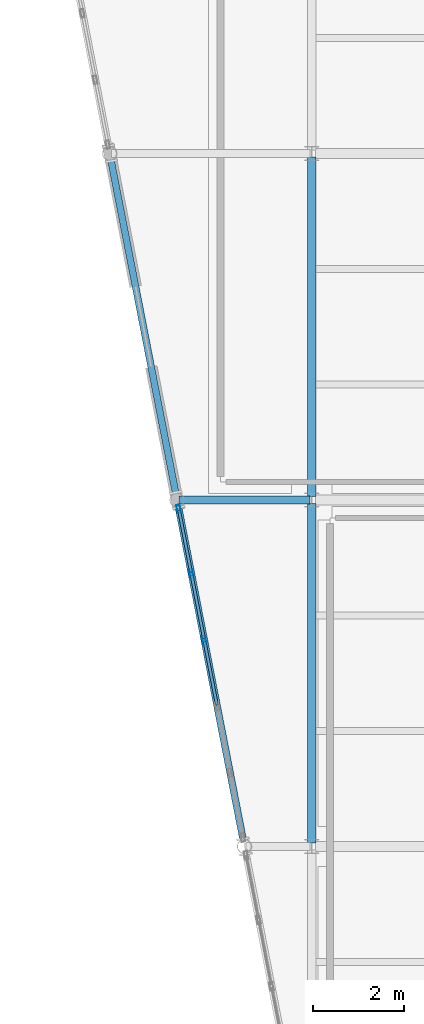
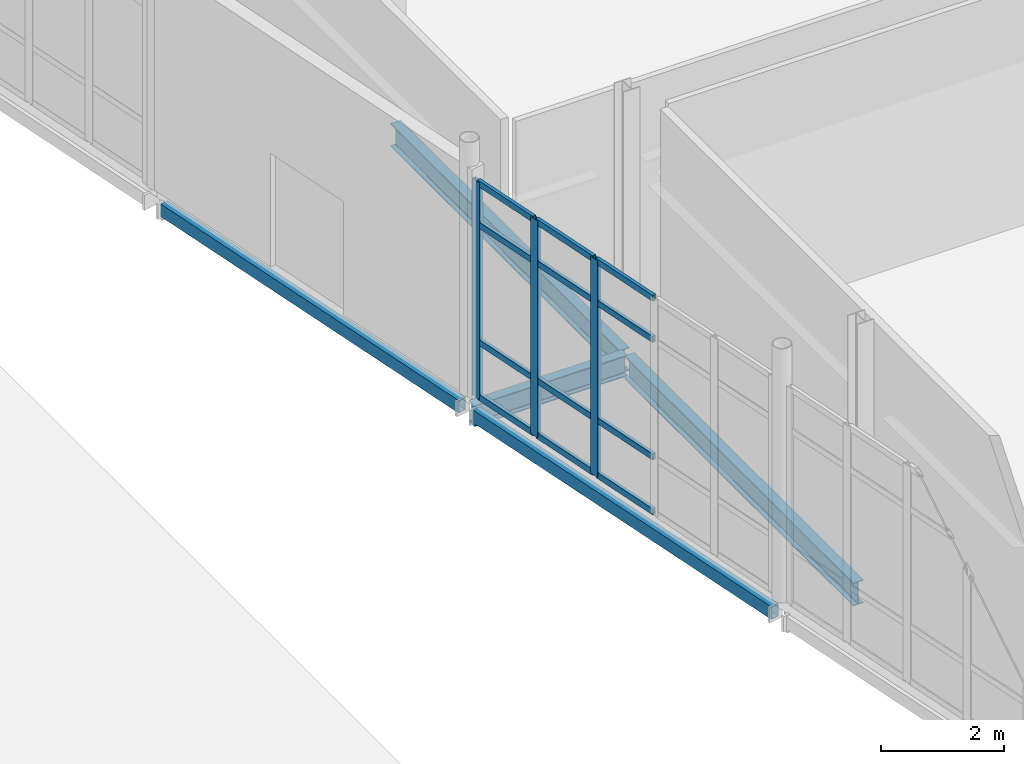
# One storey, part 84 of 161: 15 members, 5 beams, 1 element without a shape of its own.
"""IFC4 building model written with IfcOpenShell, lengths in metres."""

import ifcopenshell
import ifcopenshell.guid

model = None  # the IFC model being written
_history = None  # IfcOwnerHistory: only IFC2X3 demands one
_inside = {}  # id of a spatial element -> (the spatial element, [elements in it])
_under = {}  # id of a project, library or spatial element -> (it, [spatial elements below it])
_declared = {}  # id of a project -> (the project, [libraries it declares])
_typed = {}  # id of a type object -> (the type object, [elements of that type])
_made_of = {}  # id of a material, layer set ... -> (it, [elements and type objects made of it])


def new_model(schema):
    """Start an empty IFC model of exactly this schema.

    Asked for "IFC4X3", IfcOpenShell would pick the latest addendum, in which some entities
    have other attributes; the version numbers below select the first issue.
    IFC2X3 requires an IfcOwnerHistory on every rooted entity: one is made here for all.
    """
    global model, _history
    if schema == "IFC4X3":
        model = ifcopenshell.file(schema_version=(4, 3, 0, 0))
    else:
        model = ifcopenshell.file(schema=schema)
    _inside.clear()
    _under.clear()
    _declared.clear()
    _typed.clear()
    _made_of.clear()
    _history = None
    if model.schema == "IFC2X3":
        org = make("IfcOrganization", Name="unknown")
        user = make(
            "IfcPersonAndOrganization",
            ThePerson=make("IfcPerson", FamilyName="unknown"),
            TheOrganization=org,
        )
        app = make(
            "IfcApplication",
            ApplicationDeveloper=org,
            Version="unknown",
            ApplicationFullName="unknown",
            ApplicationIdentifier="unknown",
        )
        _history = make(
            "IfcOwnerHistory",
            OwningUser=user,
            OwningApplication=app,
            ChangeAction="ADDED",
            CreationDate=0,
        )
    return model


def make(cls, **values):
    """One entity of the class cls with the attributes given. An attribute that is None is left unset."""
    return model.create_entity(
        cls, **{name: value for name, value in values.items() if value is not None}
    )


def rooted(cls, **values):
    """An entity with a GlobalId (a new one), such as an element, a storey or a relation."""
    return make(cls, GlobalId=ifcopenshell.guid.new(), OwnerHistory=_history, **values)


def si_unit(unit_type, name, prefix=None):
    """IfcSIUnit, for example si_unit("LENGTHUNIT", "METRE", prefix="MILLI")."""
    return make("IfcSIUnit", UnitType=unit_type, Prefix=prefix, Name=name)


def assignment(units):
    """IfcUnitAssignment: the units of a project."""
    return None if units is None else make("IfcUnitAssignment", Units=units)


def point(xyz):
    """IfcCartesianPoint."""
    return None if xyz is None else make("IfcCartesianPoint", Coordinates=xyz)


def direction(xyz):
    """IfcDirection."""
    return None if xyz is None else make("IfcDirection", DirectionRatios=xyz)


def frame(location, z_axis=None, x_axis=None):
    """IfcAxis2Placement3D, a coordinate frame: its origin and axes. An axis left out is left unset."""
    return make(
        "IfcAxis2Placement3D",
        Location=point(location),
        Axis=direction(z_axis),
        RefDirection=direction(x_axis),
    )


def frame_2d(location, x_axis=None):
    """IfcAxis2Placement2D, a coordinate frame in the plane: its origin and x axis."""
    return make(
        "IfcAxis2Placement2D", Location=point(location), RefDirection=direction(x_axis)
    )


def origin():
    """The frame at (0, 0, 0) with its axes left unset."""
    return frame((0.0, 0.0, 0.0))


def origin_2d():
    """The frame at (0, 0) in the plane with its x axis left unset."""
    return frame_2d((0.0, 0.0))


def place(relative_to, where):
    """IfcLocalPlacement: puts the frame where relative to a parent placement (None: the world)."""
    return make(
        "IfcLocalPlacement", PlacementRelTo=relative_to, RelativePlacement=where
    )


def context(
    kind, dimensions, precision=None, world=None, true_north=None, identifier=None
):
    """IfcGeometricRepresentationContext, for example the 3D "Model" context."""
    return make(
        "IfcGeometricRepresentationContext",
        ContextIdentifier=identifier,
        ContextType=kind,
        CoordinateSpaceDimension=dimensions,
        Precision=precision,
        WorldCoordinateSystem=world,
        TrueNorth=true_north,
    )


def subcontext(parent, identifier, kind, view, scale=None):
    """IfcGeometricRepresentationSubContext, for example "Body" below "Model"."""
    return make(
        "IfcGeometricRepresentationSubContext",
        ContextIdentifier=identifier,
        ContextType=kind,
        ParentContext=parent,
        TargetScale=scale,
        TargetView=view,
    )


def project(units=None, contexts=None):
    """IfcProject with its units and contexts."""
    return rooted(
        "IfcProject",
        Name="project",
        RepresentationContexts=contexts,
        UnitsInContext=assignment(units),
    )


def spatial(cls, under=None, at=None, **own):
    """A site, building, storey or space (cls), placed at a placement, below another one or the project."""
    s = rooted(cls, ObjectPlacement=at, **own)
    if under is not None:
        _under.setdefault(under.id(), (under, []))[1].append(s)
    return s


def profile(cls, at=None, kind="AREA", **sizes):
    """A parametric profile (cls). Its sizes go by their IFC names, for example OverallWidth=200.0."""
    return make(cls, ProfileType=kind, Position=at, **sizes)


def hollow_rectangle(**sizes):
    """IfcRectangleHollowProfileDef."""
    return profile("IfcRectangleHollowProfileDef", **sizes)


def i_section(**sizes):
    """IfcIShapeProfileDef."""
    return profile("IfcIShapeProfileDef", **sizes)


def extrude(swept, where, along, depth):
    """IfcExtrudedAreaSolid: the profile swept, set in the frame where, extruded along a direction by depth."""
    return make(
        "IfcExtrudedAreaSolid",
        SweptArea=swept,
        Position=where,
        ExtrudedDirection=direction(along),
        Depth=depth,
    )


def shape(context_of_items, identifier, shape_type, items):
    """IfcShapeRepresentation: the items that make up one representation, for example the "Body"."""
    return make(
        "IfcShapeRepresentation",
        ContextOfItems=context_of_items,
        RepresentationIdentifier=identifier,
        RepresentationType=shape_type,
        Items=items,
    )


def material(Name=None, Category=None):
    """IfcMaterial."""
    return make("IfcMaterial", Name=Name, Category=Category)


def material_profile(
    of_material, cross_section, Name=None, Category=None, Priority=None
):
    """IfcMaterialProfile: a cross section and its material."""
    return make(
        "IfcMaterialProfile",
        Name=Name,
        Material=of_material,
        Profile=cross_section,
        Priority=Priority,
        Category=Category,
    )


def profile_set(profiles, Name=None, composite=None):
    """IfcMaterialProfileSet."""
    return make(
        "IfcMaterialProfileSet",
        Name=Name,
        MaterialProfiles=profiles,
        CompositeProfile=composite,
    )


def made_of(thing, what):
    """Note that an element or type object is made of a material, layer set ...; save() writes the relation."""
    if what is not None:
        _made_of.setdefault(what.id(), (what, []))[1].append(thing)
    return thing


def type_object(cls, material=None, **own):
    """A type object (cls), such as IfcWallType, which elements share."""
    return made_of(rooted(cls, **own), material)


def element(
    cls,
    number,
    at=None,
    inside=None,
    cuts=None,
    type_object=None,
    material=None,
    context=None,
    identifier="Body",
    shape_type=None,
    held_by="IfcProductDefinitionShape",
    body=None,
    shapes=None,
    **own,
):
    """One element of the class cls, such as IfcWall. Its Tag is "e" and its number.

    at: its placement. inside: the storey or other place that contains it. cuts: it is an
    opening in that element (IfcRelVoidsElement). A single representation is given by context,
    identifier, shape_type and body (its items); several are given by shapes. held_by: the class
    of the entity that holds the representations. save() writes the other relations.
    """
    e = rooted(cls, Tag="e%d" % number, ObjectPlacement=at, **own)
    if body is not None:
        shapes = [shape(context, identifier, shape_type, body)]
    if shapes is not None:
        e.Representation = make(held_by, Representations=shapes)
    if inside is not None:
        _inside.setdefault(inside.id(), (inside, []))[1].append(e)
    if cuts is not None:
        rooted(
            "IfcRelVoidsElement", RelatingBuildingElement=cuts, RelatedOpeningElement=e
        )
    if type_object is not None:
        _typed.setdefault(type_object.id(), (type_object, []))[1].append(e)
    return made_of(e, material)


def aggregate(whole, parts):
    """IfcRelAggregates: a whole, such as a stair, and the parts it consists of."""
    return rooted("IfcRelAggregates", RelatingObject=whole, RelatedObjects=parts)


def save(model, path):
    """Write the relations noted so far, then the file.

    IfcRelAggregates (storeys below a building ...), IfcRelContainedInSpatialStructure (elements
    in a storey), IfcRelDefinesByType, IfcRelAssociatesMaterial and IfcRelDeclares: one each for
    every whole, place, type object, material and project.
    """
    for whole, parts in _under.values():
        aggregate(whole, parts)
    for where, things in _inside.values():
        rooted(
            "IfcRelContainedInSpatialStructure",
            RelatedElements=things,
            RelatingStructure=where,
        )
    for kind, things in _typed.values():
        rooted("IfcRelDefinesByType", RelatedObjects=things, RelatingType=kind)
    for what, things in _made_of.values():
        rooted("IfcRelAssociatesMaterial", RelatedObjects=things, RelatingMaterial=what)
    for by, libraries in _declared.values():
        rooted("IfcRelDeclares", RelatingContext=by, RelatedDefinitions=libraries)
    model.write(path)


model = new_model("IFC4")

# Units and contexts
model_context = context("Model", 3, precision=1e-05, world=origin(), true_north=direction((0.0, 1.0)))
body_context = subcontext(model_context, "Body", "Model", "MODEL_VIEW")
ifc_project = project(units=[si_unit("LENGTHUNIT", "METRE"), si_unit("AREAUNIT", "SQUARE_METRE"), si_unit("VOLUMEUNIT", "CUBIC_METRE"), si_unit("PLANEANGLEUNIT", "RADIAN"), si_unit("MASSUNIT", "GRAM", prefix="KILO")], contexts=[model_context])

# Site, building, storey
site_placement = place(None, origin())
site = spatial("IfcSite", under=ifc_project, at=site_placement, CompositionType="ELEMENT")
building_placement = place(site_placement, origin())
building = spatial("IfcBuilding", under=site, at=building_placement, Name="Caisbarro Railhouse Central Library", CompositionType="ELEMENT")
storey_placement = place(building_placement, origin())
storey = spatial("IfcBuildingStorey", under=building, at=storey_placement, Name="L00", CompositionType="ELEMENT", Elevation=0.0)

# Beams
ifc_material_1 = material(Name="Steel ASTM A572 Grade 50", Category="steel")
ifc_material_profile_1 = material_profile(ifc_material_1, i_section(OverallWidth=0.18994140625, OverallDepth=0.45703125, WebThickness=0.009033203125, FlangeThickness=0.014404296875, FilletRadius=0.01806640625, at=origin_2d()), Name="W460X74.0")
ifc_profile_set_1 = profile_set([ifc_material_profile_1], Name="Steel ASTM A572 Grade 50")
beam_type_1 = type_object("IfcBeamType", Name="BM-G08", PredefinedType="BEAM", material=ifc_profile_set_1)
for number, where, z_axis, x_axis, name in (
    (1, (117.0, 68.47998046875, -0.478515625), (0.0, 1.0, 0.0), (-1.0, 0.0, 0.0), "G08 beam L00 #523"),
    (2, (117.0, 76.080078125, -0.478515625), (0.0, 1.0, 0.0), (-1.0, 0.0, 0.0), "G08 beam L00 #524"),
):
    element("IfcBeam", number, at=place(storey_placement, frame(where, z_axis=z_axis, x_axis=x_axis)), inside=storey, type_object=beam_type_1, Name=name, PredefinedType="BEAM", context=body_context, shape_type="SweptSolid", body=[
        extrude(i_section(OverallWidth=0.18994140625, OverallDepth=0.45703125, WebThickness=0.009033203125, FlangeThickness=0.014404296875, FilletRadius=0.01806640625, at=origin_2d()), origin(), (0.0, 0.0, 1.0), 7.43994140625),
    ])
ifc_material_profile_2 = material_profile(ifc_material_1, i_section(OverallWidth=0.180908203125, OverallDepth=0.4169921875, WebThickness=0.010986328125, FlangeThickness=0.018310546875, FilletRadius=0.01611328125, at=origin_2d()), Name="W410X85.0")
ifc_profile_set_2 = profile_set([ifc_material_profile_2], Name="Steel ASTM A572 Grade 50")
beam_type_2 = type_object("IfcBeamType", Name="BM-G09", PredefinedType="BEAM", material=ifc_profile_set_2)
beam_1_placement = place(storey_placement, frame((114.0849609375, 76.0, -0.45849609375), z_axis=(1.0, 0.0, 0.0), x_axis=(0.0, 1.0, 0.0)))
element("IfcBeam", 3, at=beam_1_placement, inside=storey, type_object=beam_type_2, Name="G09 beam L00 #688", PredefinedType="BEAM", context=body_context, shape_type="SweptSolid", body=[
    extrude(i_section(OverallWidth=0.180908203125, OverallDepth=0.4169921875, WebThickness=0.010986328125, FlangeThickness=0.018310546875, FilletRadius=0.01611328125, at=origin_2d()), origin(), (0.0, 0.0, 1.0), 2.875),
])
ifc_material_profile_3 = material_profile(ifc_material_1, hollow_rectangle(XDim=0.14990234375, YDim=0.25, WallThickness=0.010009765625, at=origin_2d()), Name="HSS250X150X10")
ifc_profile_set_3 = profile_set([ifc_material_profile_3], Name="Steel ASTM A572 Grade 50")
beam_type_3 = type_object("IfcBeamType", Name="BM-SP03", PredefinedType="SPANDREL", material=ifc_profile_set_3)
beam_2_placement = place(storey_placement, frame((115.488525390625, 68.57666015625, -0.375), z_axis=(-0.19088559215, 0.981612291442, 0.0), x_axis=(-0.981612291442, -0.19088559215, 0.0)))
element("IfcBeam", 4, at=beam_2_placement, inside=storey, type_object=beam_type_3, Name="SP03 beam L00 #682", PredefinedType="SPANDREL", context=body_context, shape_type="SweptSolid", body=[
    extrude(hollow_rectangle(XDim=0.14990234375, YDim=0.25, WallThickness=0.010009765625, at=origin_2d()), origin(), (0.0, 0.0, 1.0), 7.38232421875),
])
beam_3_placement = place(storey_placement, frame((114.0107421875, 76.1767578125, -0.375), z_axis=(-0.1907899916, 0.981630877217, 0.0), x_axis=(-0.981630877217, -0.1907899916, 0.0)))
element("IfcBeam", 5, at=beam_3_placement, inside=storey, type_object=beam_type_3, Name="SP03 beam L00 #683", PredefinedType="SPANDREL", context=body_context, shape_type="SweptSolid", body=[
    extrude(hollow_rectangle(XDim=0.14990234375, YDim=0.25, WallThickness=0.010009765625, at=origin_2d()), origin(), (0.0, 0.0, 1.0), 7.382080078125),
])

# Curtain wall, members
ifc_material_2 = material(Name="Anodised architectural aluminium", Category="aluminium")
curtain_wall_type = type_object("IfcCurtainWallType", Name="CW-CW01", PredefinedType="NOTDEFINED", material=ifc_material_2)
curtain_wall_placement = place(storey_placement, origin())
curtain_wall = element("IfcCurtainWall", 6, at=curtain_wall_placement, inside=storey, type_object=curtain_wall_type, Name="CW01 curtain wall L00 #97", PredefinedType="NOTDEFINED")
ifc_material_profile_4 = material_profile(ifc_material_2, hollow_rectangle(XDim=0.074951171875, YDim=0.179931640625, WallThickness=0.00439453125, at=origin_2d()), Name="ALU-MUL-75X180")
ifc_profile_set_4 = profile_set([ifc_material_profile_4], Name="Anodised architectural aluminium")
member_type_1 = type_object("IfcMemberType", Name="CWM-M01", PredefinedType="MULLION", material=ifc_profile_set_4)
member_1_placement = place(storey_placement, frame((114.642333984375, 72.928466796875, 0.0), z_axis=(0.0, 0.0, 1.0), x_axis=(-0.98160739523, -0.190910768765, 0.0)))
member_1 = element("IfcMember", 7, at=member_1_placement, type_object=member_type_1, Name="CW01 mullion 4", PredefinedType="MULLION", context=body_context, shape_type="SweptSolid", body=[
    extrude(hollow_rectangle(XDim=0.074951171875, YDim=0.179931640625, WallThickness=0.00439453125, at=origin_2d()), origin(), (0.0, 0.0, 1.0), 4.300048828125),
])
member_2_placement = place(storey_placement, frame((114.35888671875, 74.3857421875, 0.0), z_axis=(0.0, 0.0, 1.0), x_axis=(-0.98160739523, -0.190910768765, 0.0)))
member_2 = element("IfcMember", 8, at=member_2_placement, type_object=member_type_1, Name="CW01 mullion 5", PredefinedType="MULLION", context=body_context, shape_type="SweptSolid", body=[
    extrude(hollow_rectangle(XDim=0.074951171875, YDim=0.179931640625, WallThickness=0.00439453125, at=origin_2d()), origin(), (0.0, 0.0, 1.0), 4.300048828125),
])
member_3_placement = place(storey_placement, frame((114.082763671875, 75.80615234375, 0.0), z_axis=(0.0, 0.0, 1.0), x_axis=(-0.98160739523, -0.190910768765, 0.0)))
member_3 = element("IfcMember", 9, at=member_3_placement, type_object=member_type_1, Name="CW01 mullion 6", PredefinedType="MULLION", context=body_context, shape_type="SweptSolid", body=[
    extrude(hollow_rectangle(XDim=0.074951171875, YDim=0.179931640625, WallThickness=0.00439453125, at=origin_2d()), origin(), (0.0, 0.0, 1.0), 4.300048828125),
])
ifc_material_profile_5 = material_profile(ifc_material_2, hollow_rectangle(XDim=0.06494140625, YDim=0.1201171875, WallThickness=0.00341796875, at=origin_2d()), Name="ALU-TRN-65X120")
ifc_profile_set_5 = profile_set([ifc_material_profile_5], Name="Anodised architectural aluminium")
member_type_2 = type_object("IfcMemberType", Name="CWT-T02", PredefinedType="USERDEFINED", material=ifc_profile_set_5)
member_4_placement = place(storey_placement, frame((114.91845703125, 71.50830078125, 0.032470703125), z_axis=(-0.190883567843, 0.981612685089, 0.0), x_axis=(-0.981612685089, -0.190883567843, 0.0)))
member_4 = element("IfcMember", 10, at=member_4_placement, type_object=member_type_2, Name="CW01 transom 3.1", ObjectType="TRANSOM", PredefinedType="USERDEFINED", context=body_context, shape_type="SweptSolid", body=[
    extrude(hollow_rectangle(XDim=0.06494140625, YDim=0.1201171875, WallThickness=0.00341796875, at=origin_2d()), origin(), (0.0, 0.0, 1.0), 1.409423828125),
])
member_5_placement = place(storey_placement, frame((114.91845703125, 71.50830078125, 1.1201171875), z_axis=(-0.190883567843, 0.981612685089, 0.0), x_axis=(-0.981612685089, -0.190883567843, 0.0)))
member_5 = element("IfcMember", 11, at=member_5_placement, type_object=member_type_2, Name="CW01 transom 3.2", ObjectType="TRANSOM", PredefinedType="USERDEFINED", context=body_context, shape_type="SweptSolid", body=[
    extrude(hollow_rectangle(XDim=0.06494140625, YDim=0.1201171875, WallThickness=0.00341796875, at=origin_2d()), origin(), (0.0, 0.0, 1.0), 1.409423828125),
])
member_6_placement = place(storey_placement, frame((114.91845703125, 71.50830078125, 3.449951171875), z_axis=(-0.190883567843, 0.981612685089, 0.0), x_axis=(-0.981612685089, -0.190883567843, 0.0)))
member_6 = element("IfcMember", 12, at=member_6_placement, type_object=member_type_2, Name="CW01 transom 3.3", ObjectType="TRANSOM", PredefinedType="USERDEFINED", context=body_context, shape_type="SweptSolid", body=[
    extrude(hollow_rectangle(XDim=0.06494140625, YDim=0.1201171875, WallThickness=0.00341796875, at=origin_2d()), origin(), (0.0, 0.0, 1.0), 1.409423828125),
])
member_7_placement = place(storey_placement, frame((114.91845703125, 71.50830078125, 4.267578125), z_axis=(-0.190883567843, 0.981612685089, 0.0), x_axis=(-0.981612685089, -0.190883567843, 0.0)))
member_7 = element("IfcMember", 13, at=member_7_placement, type_object=member_type_2, Name="CW01 transom 3.4", ObjectType="TRANSOM", PredefinedType="USERDEFINED", context=body_context, shape_type="SweptSolid", body=[
    extrude(hollow_rectangle(XDim=0.06494140625, YDim=0.1201171875, WallThickness=0.00341796875, at=origin_2d()), origin(), (0.0, 0.0, 1.0), 1.409423828125),
])
member_8_placement = place(storey_placement, frame((114.63525390625, 72.96533203125, 0.032470703125), z_axis=(-0.191050463767, 0.981580215925, 0.0), x_axis=(-0.981580215925, -0.191050463767, 0.0)))
member_8 = element("IfcMember", 14, at=member_8_placement, type_object=member_type_2, Name="CW01 transom 4.1", ObjectType="TRANSOM", PredefinedType="USERDEFINED", context=body_context, shape_type="SweptSolid", body=[
    extrude(hollow_rectangle(XDim=0.06494140625, YDim=0.1201171875, WallThickness=0.00341796875, at=origin_2d()), origin(), (0.0, 0.0, 1.0), 1.409423828125),
])
member_9_placement = place(storey_placement, frame((114.63525390625, 72.96533203125, 1.1201171875), z_axis=(-0.191050463767, 0.981580215925, 0.0), x_axis=(-0.981580215925, -0.191050463767, 0.0)))
member_9 = element("IfcMember", 15, at=member_9_placement, type_object=member_type_2, Name="CW01 transom 4.2", ObjectType="TRANSOM", PredefinedType="USERDEFINED", context=body_context, shape_type="SweptSolid", body=[
    extrude(hollow_rectangle(XDim=0.06494140625, YDim=0.1201171875, WallThickness=0.00341796875, at=origin_2d()), origin(), (0.0, 0.0, 1.0), 1.409423828125),
])
member_10_placement = place(storey_placement, frame((114.63525390625, 72.96533203125, 3.449951171875), z_axis=(-0.191050463767, 0.981580215925, 0.0), x_axis=(-0.981580215925, -0.191050463767, 0.0)))
member_10 = element("IfcMember", 16, at=member_10_placement, type_object=member_type_2, Name="CW01 transom 4.3", ObjectType="TRANSOM", PredefinedType="USERDEFINED", context=body_context, shape_type="SweptSolid", body=[
    extrude(hollow_rectangle(XDim=0.06494140625, YDim=0.1201171875, WallThickness=0.00341796875, at=origin_2d()), origin(), (0.0, 0.0, 1.0), 1.409423828125),
])
member_11_placement = place(storey_placement, frame((114.63525390625, 72.96533203125, 4.267578125), z_axis=(-0.191050463767, 0.981580215925, 0.0), x_axis=(-0.981580215925, -0.191050463767, 0.0)))
member_11 = element("IfcMember", 17, at=member_11_placement, type_object=member_type_2, Name="CW01 transom 4.4", ObjectType="TRANSOM", PredefinedType="USERDEFINED", context=body_context, shape_type="SweptSolid", body=[
    extrude(hollow_rectangle(XDim=0.06494140625, YDim=0.1201171875, WallThickness=0.00341796875, at=origin_2d()), origin(), (0.0, 0.0, 1.0), 1.409423828125),
])
member_12_placement = place(storey_placement, frame((114.351806640625, 74.422607421875, 0.032470703125), z_axis=(-0.190945868313, 0.981600568141, 0.0), x_axis=(-0.981600568141, -0.190945868313, 0.0)))
member_12 = element("IfcMember", 18, at=member_12_placement, type_object=member_type_2, Name="CW01 transom 5.1", ObjectType="TRANSOM", PredefinedType="USERDEFINED", context=body_context, shape_type="SweptSolid", body=[
    extrude(hollow_rectangle(XDim=0.06494140625, YDim=0.1201171875, WallThickness=0.00341796875, at=origin_2d()), origin(), (0.0, 0.0, 1.0), 1.371826171875),
])
member_13_placement = place(storey_placement, frame((114.351806640625, 74.422607421875, 1.1201171875), z_axis=(-0.190945868313, 0.981600568141, 0.0), x_axis=(-0.981600568141, -0.190945868313, 0.0)))
member_13 = element("IfcMember", 19, at=member_13_placement, type_object=member_type_2, Name="CW01 transom 5.2", ObjectType="TRANSOM", PredefinedType="USERDEFINED", context=body_context, shape_type="SweptSolid", body=[
    extrude(hollow_rectangle(XDim=0.06494140625, YDim=0.1201171875, WallThickness=0.00341796875, at=origin_2d()), origin(), (0.0, 0.0, 1.0), 1.371826171875),
])
member_14_placement = place(storey_placement, frame((114.351806640625, 74.422607421875, 3.449951171875), z_axis=(-0.190945868313, 0.981600568141, 0.0), x_axis=(-0.981600568141, -0.190945868313, 0.0)))
member_14 = element("IfcMember", 20, at=member_14_placement, type_object=member_type_2, Name="CW01 transom 5.3", ObjectType="TRANSOM", PredefinedType="USERDEFINED", context=body_context, shape_type="SweptSolid", body=[
    extrude(hollow_rectangle(XDim=0.06494140625, YDim=0.1201171875, WallThickness=0.00341796875, at=origin_2d()), origin(), (0.0, 0.0, 1.0), 1.371826171875),
])
member_15_placement = place(storey_placement, frame((114.351806640625, 74.422607421875, 4.267578125), z_axis=(-0.190945868313, 0.981600568141, 0.0), x_axis=(-0.981600568141, -0.190945868313, 0.0)))
member_15 = element("IfcMember", 21, at=member_15_placement, type_object=member_type_2, Name="CW01 transom 5.4", ObjectType="TRANSOM", PredefinedType="USERDEFINED", context=body_context, shape_type="SweptSolid", body=[
    extrude(hollow_rectangle(XDim=0.06494140625, YDim=0.1201171875, WallThickness=0.00341796875, at=origin_2d()), origin(), (0.0, 0.0, 1.0), 1.371826171875),
])
aggregate(curtain_wall, [member_1, member_2, member_3, member_4, member_5, member_6, member_7, member_8, member_9, member_10, member_11, member_12, member_13, member_14, member_15])

save(model, "model.ifc")
